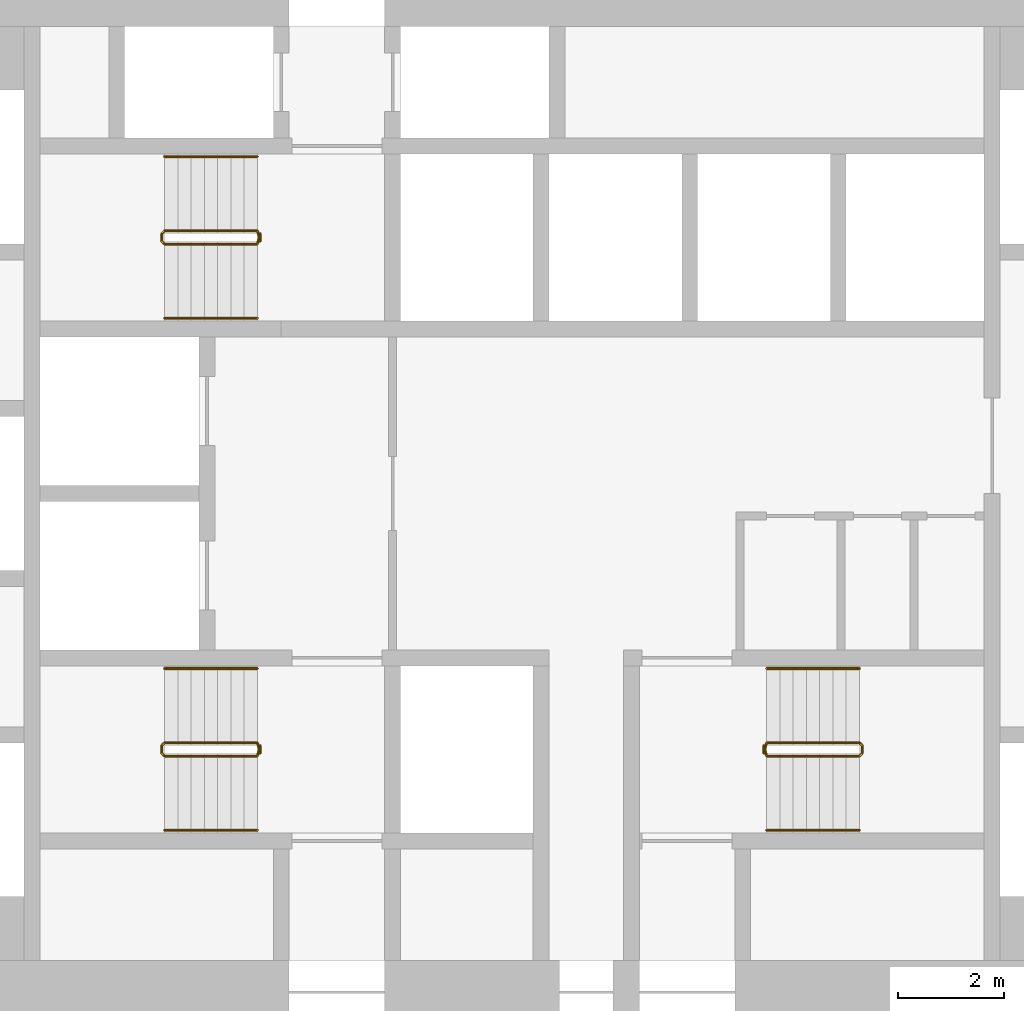
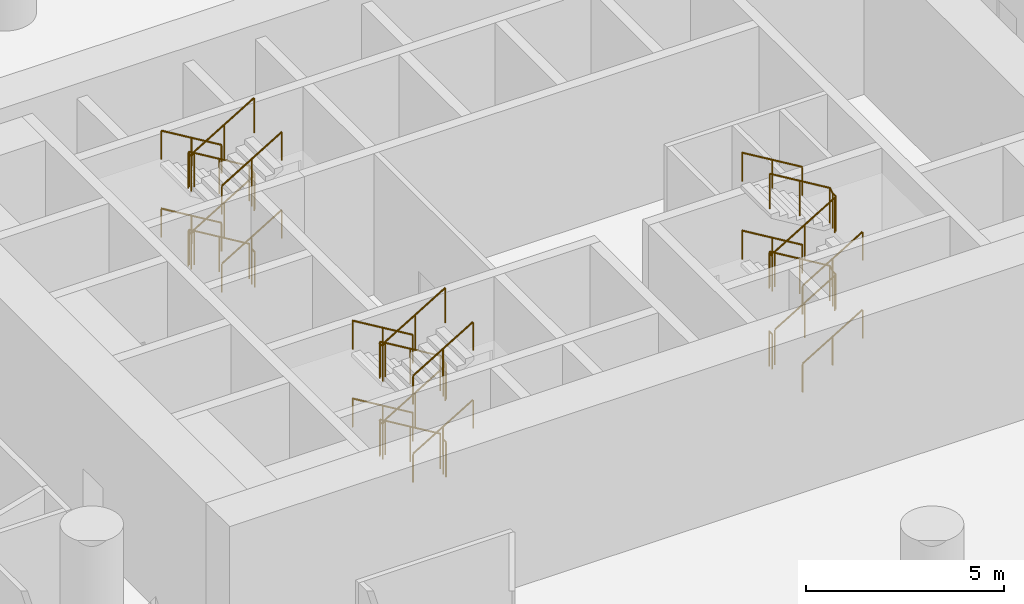
# One storey, part 11 of 11: 18 railings.
"""IFC4 building model written with IfcOpenShell, lengths in metres."""

from ifc_helpers import new_model, si_unit, direction, frame, origin, origin_2d, place, context, subcontext, project, spatial, circle, extrude, material, type_object, element, save


model = new_model("IFC4")

# Units and contexts
model_context = context("Model", 3, precision=1e-05, world=origin(), true_north=direction((0.0, 1.0)))
body_context = subcontext(model_context, "Body", "Model", "MODEL_VIEW")
ifc_project = project(units=[si_unit("LENGTHUNIT", "METRE"), si_unit("AREAUNIT", "SQUARE_METRE"), si_unit("VOLUMEUNIT", "CUBIC_METRE"), si_unit("PLANEANGLEUNIT", "RADIAN"), si_unit("MASSUNIT", "GRAM", prefix="KILO")], contexts=[model_context])

# Site, building, storey
site_placement = place(None, origin())
site = spatial("IfcSite", under=ifc_project, at=site_placement, CompositionType="ELEMENT")
building_placement = place(site_placement, origin())
building = spatial("IfcBuilding", under=site, at=building_placement, Name="Tracery Tower", CompositionType="ELEMENT")
storey_placement = place(building_placement, frame((0.0, 0.0, 23.39990234375)))
storey = spatial("IfcBuildingStorey", under=building, at=storey_placement, Name="L04", CompositionType="ELEMENT", Elevation=23.39990234375)

# Railings
ifc_material_1 = material(Name="Stainless steel and laminated glass", Category="steel")
railing_type_1 = type_object("IfcRailingType", Name="Stair guard 1100", PredefinedType="GUARDRAIL", material=ifc_material_1)
railing_1_placement = place(storey_placement, frame((-4.800048828125, -4.699951171875, 0.150146484375)))
element("IfcRailing", 1, at=railing_1_placement, inside=storey, type_object=railing_type_1, Name="L04 stair ST1 guard 1", PredefinedType="GUARDRAIL", context=body_context, shape_type="SweptSolid", body=[
    extrude(circle(Radius=0.02392578125, at=origin_2d()), frame((0.0, 0.0, 1.076171875), z_axis=(-0.857482370257, 0.0, 0.514513347444), x_axis=(0.0, -1.0, 0.0)), (0.0, 0.0, 1.0), 2.040771484375),
    extrude(circle(Radius=0.02392578125, at=origin_2d()), frame((-1.75, 0.0, 2.1259765625), z_axis=(-0.707106781187, -0.707106781187, 0.0), x_axis=(0.707106781187, -0.707106781187, 0.0)), (0.0, 0.0, 1.0), 0.07080078125),
    extrude(circle(Radius=0.02392578125, at=origin_2d()), frame((-1.800048828125, -0.050048828125, 2.1259765625), z_axis=(0.0, -1.0, 0.0), x_axis=(1.0, 0.0, 0.0)), (0.0, 0.0, 1.0), 0.14990234375),
    extrude(circle(Radius=0.02392578125, at=origin_2d()), frame((-1.800048828125, -0.199951171875, 2.1259765625), z_axis=(0.301912943143, -0.301912943143, 0.904266083366), x_axis=(0.707106781187, 0.707106781187, 0.0)), (0.0, 0.0, 1.0), 0.165771484375),
    extrude(circle(Radius=0.02392578125, at=origin_2d()), frame((-1.75, -0.25, 2.27587890625), z_axis=(0.857482370257, 0.0, 0.514513347444), x_axis=(0.0, 1.0, 0.0)), (0.0, 0.0, 1.0), 2.040771484375),
    extrude(circle(Radius=0.02392578125, at=origin_2d()), frame((0.0, -0.25, 3.326171875), z_axis=(0.242814311512, 0.970072785993, 0.0), x_axis=(-0.970072785993, 0.242814311512, 0.0)), (0.0, 0.0, 1.0), 0.2060546875),
    extrude(circle(Radius=0.02392578125, at=origin_2d()), frame((0.050048828125, -0.050048828125, 3.326171875), z_axis=(0.0, -1.0, 0.0), x_axis=(1.0, 0.0, 0.0)), (0.0, 0.0, 1.0), 0.14990234375),
    extrude(circle(Radius=0.02392578125, at=origin_2d()), frame((0.050048828125, -0.199951171875, 3.326171875), z_axis=(-0.196374026855, 0.784538185338, 0.588164158483), x_axis=(-0.970072785993, -0.242814311512, 0.0)), (0.0, 0.0, 1.0), 0.2548828125),
    extrude(circle(Radius=0.02392578125, at=origin_2d()), frame((0.0, 0.0, 3.47607421875), z_axis=(-0.857482370257, 0.0, 0.514513347444), x_axis=(0.0, -1.0, 0.0)), (0.0, 0.0, 1.0), 2.040771484375),
    extrude(circle(Radius=0.02392578125, at=origin_2d()), frame((-1.75, 0.0, 4.52587890625), z_axis=(-0.707106781187, -0.707106781187, 0.0), x_axis=(0.707106781187, -0.707106781187, 0.0)), (0.0, 0.0, 1.0), 0.07080078125),
    extrude(circle(Radius=0.02392578125, at=origin_2d()), frame((-1.800048828125, -0.050048828125, 4.52587890625), z_axis=(0.0, -1.0, 0.0), x_axis=(1.0, 0.0, 0.0)), (0.0, 0.0, 1.0), 0.14990234375),
    extrude(circle(Radius=0.02392578125, at=origin_2d()), frame((-1.800048828125, -0.199951171875, 4.52587890625), z_axis=(0.301912943143, -0.301912943143, 0.904266083366), x_axis=(0.707106781187, 0.707106781187, 0.0)), (0.0, 0.0, 1.0), 0.165771484375),
    extrude(circle(Radius=0.02392578125, at=origin_2d()), frame((-1.75, -0.25, 4.67578125), z_axis=(0.857482370257, 0.0, 0.514513347444), x_axis=(0.0, 1.0, 0.0)), (0.0, 0.0, 1.0), 2.040771484375),
    extrude(circle(Radius=0.02099609375, at=origin_2d()), origin(), (0.0, 0.0, 1.0), 1.052001953125),
    extrude(circle(Radius=0.02099609375, at=origin_2d()), frame((-0.875, 0.0, 0.52490234375)), (0.0, 0.0, 1.0), 1.052001953125),
    extrude(circle(Radius=0.02099609375, at=origin_2d()), frame((-1.75, 0.0, 1.050048828125)), (0.0, 0.0, 1.0), 1.052001953125),
    extrude(circle(Radius=0.02099609375, at=origin_2d()), frame((-1.800048828125, -0.050048828125, 1.050048828125)), (0.0, 0.0, 1.0), 1.052001953125),
    extrude(circle(Radius=0.02099609375, at=origin_2d()), frame((-1.800048828125, -0.199951171875, 1.050048828125)), (0.0, 0.0, 1.0), 1.052001953125),
    extrude(circle(Radius=0.02099609375, at=origin_2d()), frame((-1.75, -0.25, 1.199951171875)), (0.0, 0.0, 1.0), 1.052001953125),
    extrude(circle(Radius=0.02099609375, at=origin_2d()), frame((-0.875, -0.25, 1.72509765625)), (0.0, 0.0, 1.0), 1.052001953125),
    extrude(circle(Radius=0.02099609375, at=origin_2d()), frame((0.0, -0.25, 2.25)), (0.0, 0.0, 1.0), 1.052001953125),
    extrude(circle(Radius=0.02099609375, at=origin_2d()), frame((0.050048828125, -0.050048828125, 2.25)), (0.0, 0.0, 1.0), 1.052001953125),
    extrude(circle(Radius=0.02099609375, at=origin_2d()), frame((0.050048828125, -0.199951171875, 2.25)), (0.0, 0.0, 1.0), 1.052001953125),
    extrude(circle(Radius=0.02099609375, at=origin_2d()), frame((0.0, 0.0, 2.39990234375)), (0.0, 0.0, 1.0), 1.052001953125),
    extrude(circle(Radius=0.02099609375, at=origin_2d()), frame((-0.875, 0.0, 2.9248046875)), (0.0, 0.0, 1.0), 1.052001953125),
    extrude(circle(Radius=0.02099609375, at=origin_2d()), frame((-1.75, 0.0, 3.449951171875)), (0.0, 0.0, 1.0), 1.052001953125),
    extrude(circle(Radius=0.02099609375, at=origin_2d()), frame((-1.800048828125, -0.050048828125, 3.449951171875)), (0.0, 0.0, 1.0), 1.052001953125),
    extrude(circle(Radius=0.02099609375, at=origin_2d()), frame((-1.800048828125, -0.199951171875, 3.449951171875)), (0.0, 0.0, 1.0), 1.052001953125),
    extrude(circle(Radius=0.02099609375, at=origin_2d()), frame((-1.75, -0.25, 3.599853515625)), (0.0, 0.0, 1.0), 1.052001953125),
    extrude(circle(Radius=0.02099609375, at=origin_2d()), frame((-0.875, -0.25, 4.125)), (0.0, 0.0, 1.0), 1.052001953125),
    extrude(circle(Radius=0.02099609375, at=origin_2d()), frame((0.0, -0.25, 4.64990234375)), (0.0, 0.0, 1.0), 1.052001953125),
])
railing_2_placement = place(storey_placement, frame((-4.75, -4.75, 0.0)))
element("IfcRailing", 2, at=railing_2_placement, inside=storey, type_object=railing_type_1, Name="L04 stair ST1 guard 2", PredefinedType="GUARDRAIL", context=body_context, shape_type="SweptSolid", body=[
    extrude(circle(Radius=0.02392578125, at=origin_2d()), frame((0.0, 0.0, 1.076171875), z_axis=(0.0, -1.0, 0.0), x_axis=(1.0, 0.0, 0.0)), (0.0, 0.0, 1.0), 0.14990234375),
    extrude(circle(Radius=0.02099609375, at=origin_2d()), origin(), (0.0, 0.0, 1.0), 1.052001953125),
    extrude(circle(Radius=0.02099609375, at=origin_2d()), frame((0.0, -0.14990234375, 0.0)), (0.0, 0.0, 1.0), 1.052001953125),
])
railing_3_placement = place(storey_placement, frame((-4.800048828125, 4.949951171875, 0.150146484375)))
element("IfcRailing", 3, at=railing_3_placement, inside=storey, type_object=railing_type_1, Name="L04 stair ST3 guard 1", PredefinedType="GUARDRAIL", context=body_context, shape_type="SweptSolid", body=[
    extrude(circle(Radius=0.02392578125, at=origin_2d()), frame((0.0, 0.0, 1.076171875), z_axis=(-0.857482370257, 0.0, 0.514513347444), x_axis=(0.0, -1.0, 0.0)), (0.0, 0.0, 1.0), 2.040771484375),
    extrude(circle(Radius=0.02392578125, at=origin_2d()), frame((-1.75, 0.0, 2.1259765625), z_axis=(-0.707106781187, -0.707106781187, 0.0), x_axis=(0.707106781187, -0.707106781187, 0.0)), (0.0, 0.0, 1.0), 0.07080078125),
    extrude(circle(Radius=0.02392578125, at=origin_2d()), frame((-1.800048828125, -0.050048828125, 2.1259765625), z_axis=(0.0, -1.0, 0.0), x_axis=(1.0, 0.0, 0.0)), (0.0, 0.0, 1.0), 0.14990234375),
    extrude(circle(Radius=0.02392578125, at=origin_2d()), frame((-1.800048828125, -0.199951171875, 2.1259765625), z_axis=(0.301912943143, -0.301912943143, 0.904266083366), x_axis=(0.707106781187, 0.707106781187, 0.0)), (0.0, 0.0, 1.0), 0.165771484375),
    extrude(circle(Radius=0.02392578125, at=origin_2d()), frame((-1.75, -0.25, 2.27587890625), z_axis=(0.857482370257, 0.0, 0.514513347444), x_axis=(0.0, 1.0, 0.0)), (0.0, 0.0, 1.0), 2.040771484375),
    extrude(circle(Radius=0.02392578125, at=origin_2d()), frame((0.0, -0.25, 3.326171875), z_axis=(0.242814311512, 0.970072785993, 0.0), x_axis=(-0.970072785993, 0.242814311512, 0.0)), (0.0, 0.0, 1.0), 0.2060546875),
    extrude(circle(Radius=0.02392578125, at=origin_2d()), frame((0.050048828125, -0.050048828125, 3.326171875), z_axis=(0.0, -1.0, 0.0), x_axis=(1.0, 0.0, 0.0)), (0.0, 0.0, 1.0), 0.14990234375),
    extrude(circle(Radius=0.02392578125, at=origin_2d()), frame((0.050048828125, -0.199951171875, 3.326171875), z_axis=(-0.196374026855, 0.784538185338, 0.588164158483), x_axis=(-0.970072785993, -0.242814311512, 0.0)), (0.0, 0.0, 1.0), 0.2548828125),
    extrude(circle(Radius=0.02392578125, at=origin_2d()), frame((0.0, 0.0, 3.47607421875), z_axis=(-0.857482370257, 0.0, 0.514513347444), x_axis=(0.0, -1.0, 0.0)), (0.0, 0.0, 1.0), 2.040771484375),
    extrude(circle(Radius=0.02392578125, at=origin_2d()), frame((-1.75, 0.0, 4.52587890625), z_axis=(-0.707106781187, -0.707106781187, 0.0), x_axis=(0.707106781187, -0.707106781187, 0.0)), (0.0, 0.0, 1.0), 0.07080078125),
    extrude(circle(Radius=0.02392578125, at=origin_2d()), frame((-1.800048828125, -0.050048828125, 4.52587890625), z_axis=(0.0, -1.0, 0.0), x_axis=(1.0, 0.0, 0.0)), (0.0, 0.0, 1.0), 0.14990234375),
    extrude(circle(Radius=0.02392578125, at=origin_2d()), frame((-1.800048828125, -0.199951171875, 4.52587890625), z_axis=(0.301912943143, -0.301912943143, 0.904266083366), x_axis=(0.707106781187, 0.707106781187, 0.0)), (0.0, 0.0, 1.0), 0.165771484375),
    extrude(circle(Radius=0.02392578125, at=origin_2d()), frame((-1.75, -0.25, 4.67578125), z_axis=(0.857482370257, 0.0, 0.514513347444), x_axis=(0.0, 1.0, 0.0)), (0.0, 0.0, 1.0), 2.040771484375),
    extrude(circle(Radius=0.02099609375, at=origin_2d()), origin(), (0.0, 0.0, 1.0), 1.052001953125),
    extrude(circle(Radius=0.02099609375, at=origin_2d()), frame((-0.875, 0.0, 0.52490234375)), (0.0, 0.0, 1.0), 1.052001953125),
    extrude(circle(Radius=0.02099609375, at=origin_2d()), frame((-1.75, 0.0, 1.050048828125)), (0.0, 0.0, 1.0), 1.052001953125),
    extrude(circle(Radius=0.02099609375, at=origin_2d()), frame((-1.800048828125, -0.050048828125, 1.050048828125)), (0.0, 0.0, 1.0), 1.052001953125),
    extrude(circle(Radius=0.02099609375, at=origin_2d()), frame((-1.800048828125, -0.199951171875, 1.050048828125)), (0.0, 0.0, 1.0), 1.052001953125),
    extrude(circle(Radius=0.02099609375, at=origin_2d()), frame((-1.75, -0.25, 1.199951171875)), (0.0, 0.0, 1.0), 1.052001953125),
    extrude(circle(Radius=0.02099609375, at=origin_2d()), frame((-0.875, -0.25, 1.72509765625)), (0.0, 0.0, 1.0), 1.052001953125),
    extrude(circle(Radius=0.02099609375, at=origin_2d()), frame((0.0, -0.25, 2.25)), (0.0, 0.0, 1.0), 1.052001953125),
    extrude(circle(Radius=0.02099609375, at=origin_2d()), frame((0.050048828125, -0.050048828125, 2.25)), (0.0, 0.0, 1.0), 1.052001953125),
    extrude(circle(Radius=0.02099609375, at=origin_2d()), frame((0.050048828125, -0.199951171875, 2.25)), (0.0, 0.0, 1.0), 1.052001953125),
    extrude(circle(Radius=0.02099609375, at=origin_2d()), frame((0.0, 0.0, 2.39990234375)), (0.0, 0.0, 1.0), 1.052001953125),
    extrude(circle(Radius=0.02099609375, at=origin_2d()), frame((-0.875, 0.0, 2.9248046875)), (0.0, 0.0, 1.0), 1.052001953125),
    extrude(circle(Radius=0.02099609375, at=origin_2d()), frame((-1.75, 0.0, 3.449951171875)), (0.0, 0.0, 1.0), 1.052001953125),
    extrude(circle(Radius=0.02099609375, at=origin_2d()), frame((-1.800048828125, -0.050048828125, 3.449951171875)), (0.0, 0.0, 1.0), 1.052001953125),
    extrude(circle(Radius=0.02099609375, at=origin_2d()), frame((-1.800048828125, -0.199951171875, 3.449951171875)), (0.0, 0.0, 1.0), 1.052001953125),
    extrude(circle(Radius=0.02099609375, at=origin_2d()), frame((-1.75, -0.25, 3.599853515625)), (0.0, 0.0, 1.0), 1.052001953125),
    extrude(circle(Radius=0.02099609375, at=origin_2d()), frame((-0.875, -0.25, 4.125)), (0.0, 0.0, 1.0), 1.052001953125),
    extrude(circle(Radius=0.02099609375, at=origin_2d()), frame((0.0, -0.25, 4.64990234375)), (0.0, 0.0, 1.0), 1.052001953125),
])
railing_4_placement = place(storey_placement, frame((-4.75, 4.89990234375, 0.0)))
element("IfcRailing", 4, at=railing_4_placement, inside=storey, type_object=railing_type_1, Name="L04 stair ST3 guard 2", PredefinedType="GUARDRAIL", context=body_context, shape_type="SweptSolid", body=[
    extrude(circle(Radius=0.02392578125, at=origin_2d()), frame((0.0, 0.0, 1.076171875), z_axis=(0.0, -1.0, 0.0), x_axis=(1.0, 0.0, 0.0)), (0.0, 0.0, 1.0), 0.14990234375),
    extrude(circle(Radius=0.02099609375, at=origin_2d()), origin(), (0.0, 0.0, 1.0), 1.052001953125),
    extrude(circle(Radius=0.02099609375, at=origin_2d()), frame((0.0, -0.14990234375, 0.0)), (0.0, 0.0, 1.0), 1.052001953125),
])
railing_5_placement = place(storey_placement, frame((4.800048828125, -4.949951171875, 0.150146484375)))
element("IfcRailing", 5, at=railing_5_placement, inside=storey, type_object=railing_type_1, Name="L04 stair ST2 guard 1", PredefinedType="GUARDRAIL", context=body_context, shape_type="SweptSolid", body=[
    extrude(circle(Radius=0.02392578125, at=origin_2d()), frame((0.0, 0.0, 1.076171875), z_axis=(0.857482370257, 0.0, 0.514513347444), x_axis=(0.0, 1.0, 0.0)), (0.0, 0.0, 1.0), 2.040771484375),
    extrude(circle(Radius=0.02392578125, at=origin_2d()), frame((1.75, 0.0, 2.1259765625), z_axis=(0.707106781187, 0.707106781187, 0.0), x_axis=(-0.707106781187, 0.707106781187, 0.0)), (0.0, 0.0, 1.0), 0.07080078125),
    extrude(circle(Radius=0.02392578125, at=origin_2d()), frame((1.800048828125, 0.050048828125, 2.1259765625), z_axis=(0.0, 1.0, 0.0), x_axis=(-1.0, 0.0, 0.0)), (0.0, 0.0, 1.0), 0.14990234375),
    extrude(circle(Radius=0.02392578125, at=origin_2d()), frame((1.800048828125, 0.199951171875, 2.1259765625), z_axis=(-0.301912943143, 0.301912943143, 0.904266083366), x_axis=(-0.707106781187, -0.707106781187, 0.0)), (0.0, 0.0, 1.0), 0.165771484375),
    extrude(circle(Radius=0.02392578125, at=origin_2d()), frame((1.75, 0.25, 2.27587890625), z_axis=(-0.857482370257, 0.0, 0.514513347444), x_axis=(0.0, -1.0, 0.0)), (0.0, 0.0, 1.0), 2.040771484375),
    extrude(circle(Radius=0.02392578125, at=origin_2d()), frame((0.0, 0.25, 3.326171875), z_axis=(-0.242814311512, -0.970072785993, 0.0), x_axis=(0.970072785993, -0.242814311512, 0.0)), (0.0, 0.0, 1.0), 0.2060546875),
    extrude(circle(Radius=0.02392578125, at=origin_2d()), frame((-0.050048828125, 0.050048828125, 3.326171875), z_axis=(0.0, 1.0, 0.0), x_axis=(-1.0, 0.0, 0.0)), (0.0, 0.0, 1.0), 0.14990234375),
    extrude(circle(Radius=0.02392578125, at=origin_2d()), frame((-0.050048828125, 0.199951171875, 3.326171875), z_axis=(0.196374026855, -0.784538185338, 0.588164158483), x_axis=(0.970072785993, 0.242814311512, 0.0)), (0.0, 0.0, 1.0), 0.2548828125),
    extrude(circle(Radius=0.02392578125, at=origin_2d()), frame((0.0, 0.0, 3.47607421875), z_axis=(0.857482370257, 0.0, 0.514513347444), x_axis=(0.0, 1.0, 0.0)), (0.0, 0.0, 1.0), 2.040771484375),
    extrude(circle(Radius=0.02392578125, at=origin_2d()), frame((1.75, 0.0, 4.52587890625), z_axis=(0.707106781187, 0.707106781187, 0.0), x_axis=(-0.707106781187, 0.707106781187, 0.0)), (0.0, 0.0, 1.0), 0.07080078125),
    extrude(circle(Radius=0.02392578125, at=origin_2d()), frame((1.800048828125, 0.050048828125, 4.52587890625), z_axis=(0.0, 1.0, 0.0), x_axis=(-1.0, 0.0, 0.0)), (0.0, 0.0, 1.0), 0.14990234375),
    extrude(circle(Radius=0.02392578125, at=origin_2d()), frame((1.800048828125, 0.199951171875, 4.52587890625), z_axis=(-0.301912943143, 0.301912943143, 0.904266083366), x_axis=(-0.707106781187, -0.707106781187, 0.0)), (0.0, 0.0, 1.0), 0.165771484375),
    extrude(circle(Radius=0.02392578125, at=origin_2d()), frame((1.75, 0.25, 4.67578125), z_axis=(-0.857482370257, 0.0, 0.514513347444), x_axis=(0.0, -1.0, 0.0)), (0.0, 0.0, 1.0), 2.040771484375),
    extrude(circle(Radius=0.02099609375, at=origin_2d()), origin(), (0.0, 0.0, 1.0), 1.052001953125),
    extrude(circle(Radius=0.02099609375, at=origin_2d()), frame((0.875, 0.0, 0.52490234375)), (0.0, 0.0, 1.0), 1.052001953125),
    extrude(circle(Radius=0.02099609375, at=origin_2d()), frame((1.75, 0.0, 1.050048828125)), (0.0, 0.0, 1.0), 1.052001953125),
    extrude(circle(Radius=0.02099609375, at=origin_2d()), frame((1.800048828125, 0.050048828125, 1.050048828125)), (0.0, 0.0, 1.0), 1.052001953125),
    extrude(circle(Radius=0.02099609375, at=origin_2d()), frame((1.800048828125, 0.199951171875, 1.050048828125)), (0.0, 0.0, 1.0), 1.052001953125),
    extrude(circle(Radius=0.02099609375, at=origin_2d()), frame((1.75, 0.25, 1.199951171875)), (0.0, 0.0, 1.0), 1.052001953125),
    extrude(circle(Radius=0.02099609375, at=origin_2d()), frame((0.875, 0.25, 1.72509765625)), (0.0, 0.0, 1.0), 1.052001953125),
    extrude(circle(Radius=0.02099609375, at=origin_2d()), frame((0.0, 0.25, 2.25)), (0.0, 0.0, 1.0), 1.052001953125),
    extrude(circle(Radius=0.02099609375, at=origin_2d()), frame((-0.050048828125, 0.050048828125, 2.25)), (0.0, 0.0, 1.0), 1.052001953125),
    extrude(circle(Radius=0.02099609375, at=origin_2d()), frame((-0.050048828125, 0.199951171875, 2.25)), (0.0, 0.0, 1.0), 1.052001953125),
    extrude(circle(Radius=0.02099609375, at=origin_2d()), frame((0.0, 0.0, 2.39990234375)), (0.0, 0.0, 1.0), 1.052001953125),
    extrude(circle(Radius=0.02099609375, at=origin_2d()), frame((0.875, 0.0, 2.9248046875)), (0.0, 0.0, 1.0), 1.052001953125),
    extrude(circle(Radius=0.02099609375, at=origin_2d()), frame((1.75, 0.0, 3.449951171875)), (0.0, 0.0, 1.0), 1.052001953125),
    extrude(circle(Radius=0.02099609375, at=origin_2d()), frame((1.800048828125, 0.050048828125, 3.449951171875)), (0.0, 0.0, 1.0), 1.052001953125),
    extrude(circle(Radius=0.02099609375, at=origin_2d()), frame((1.800048828125, 0.199951171875, 3.449951171875)), (0.0, 0.0, 1.0), 1.052001953125),
    extrude(circle(Radius=0.02099609375, at=origin_2d()), frame((1.75, 0.25, 3.599853515625)), (0.0, 0.0, 1.0), 1.052001953125),
    extrude(circle(Radius=0.02099609375, at=origin_2d()), frame((0.875, 0.25, 4.125)), (0.0, 0.0, 1.0), 1.052001953125),
    extrude(circle(Radius=0.02099609375, at=origin_2d()), frame((0.0, 0.25, 4.64990234375)), (0.0, 0.0, 1.0), 1.052001953125),
])
railing_6_placement = place(storey_placement, frame((4.75, -4.89990234375, 0.0)))
element("IfcRailing", 6, at=railing_6_placement, inside=storey, type_object=railing_type_1, Name="L04 stair ST2 guard 2", PredefinedType="GUARDRAIL", context=body_context, shape_type="SweptSolid", body=[
    extrude(circle(Radius=0.02392578125, at=origin_2d()), frame((0.0, 0.0, 1.076171875), z_axis=(0.0, 1.0, 0.0), x_axis=(-1.0, 0.0, 0.0)), (0.0, 0.0, 1.0), 0.14990234375),
    extrude(circle(Radius=0.02099609375, at=origin_2d()), origin(), (0.0, 0.0, 1.0), 1.052001953125),
    extrude(circle(Radius=0.02099609375, at=origin_2d()), frame((0.0, 0.14990234375, 0.0)), (0.0, 0.0, 1.0), 1.052001953125),
])
ifc_material_2 = material(Name="Stainless steel and laminated glass", Category="steel")
railing_type_2 = type_object("IfcRailingType", Name="Stair handrail 900", PredefinedType="HANDRAIL", material=ifc_material_2)
railing_7_placement = place(storey_placement, frame((-4.800048828125, -3.300048828125, 0.150146484375)))
element("IfcRailing", 7, at=railing_7_placement, inside=storey, type_object=railing_type_2, Name="L04 stair ST1 handrail 1", PredefinedType="HANDRAIL", context=body_context, shape_type="SweptSolid", body=[
    extrude(circle(Radius=0.02392578125, at=origin_2d()), frame((0.0, 0.0, 0.8759765625), z_axis=(-0.857482370257, 0.0, 0.514513347444), x_axis=(0.0, -1.0, 0.0)), (0.0, 0.0, 1.0), 2.040771484375),
    extrude(circle(Radius=0.02099609375, at=origin_2d()), origin(), (0.0, 0.0, 1.0), 0.851806640625),
    extrude(circle(Radius=0.02099609375, at=origin_2d()), frame((-0.875, 0.0, 0.52490234375)), (0.0, 0.0, 1.0), 0.851806640625),
    extrude(circle(Radius=0.02099609375, at=origin_2d()), frame((-1.75, 0.0, 1.050048828125)), (0.0, 0.0, 1.0), 0.851806640625),
])
railing_8_placement = place(storey_placement, frame((-6.550048828125, -6.35009765625, 1.35009765625)))
element("IfcRailing", 8, at=railing_8_placement, inside=storey, type_object=railing_type_2, Name="L04 stair ST1 handrail 2", PredefinedType="HANDRAIL", context=body_context, shape_type="SweptSolid", body=[
    extrude(circle(Radius=0.02392578125, at=origin_2d()), frame((0.0, 0.0, 0.8759765625), z_axis=(0.857482370257, 0.0, 0.514513347444), x_axis=(0.0, 1.0, 0.0)), (0.0, 0.0, 1.0), 2.040771484375),
    extrude(circle(Radius=0.02099609375, at=origin_2d()), origin(), (0.0, 0.0, 1.0), 0.851806640625),
    extrude(circle(Radius=0.02099609375, at=origin_2d()), frame((0.875, 0.0, 0.52490234375)), (0.0, 0.0, 1.0), 0.851806640625),
    extrude(circle(Radius=0.02099609375, at=origin_2d()), frame((1.75, 0.0, 1.050048828125)), (0.0, 0.0, 1.0), 0.851806640625),
])
railing_9_placement = place(storey_placement, frame((-4.800048828125, -3.300048828125, 2.550048828125)))
element("IfcRailing", 9, at=railing_9_placement, inside=storey, type_object=railing_type_2, Name="L04 stair ST1 handrail 3", PredefinedType="HANDRAIL", context=body_context, shape_type="SweptSolid", body=[
    extrude(circle(Radius=0.02392578125, at=origin_2d()), frame((0.0, 0.0, 0.8759765625), z_axis=(-0.857482370257, 0.0, 0.514513347444), x_axis=(0.0, -1.0, 0.0)), (0.0, 0.0, 1.0), 2.040771484375),
    extrude(circle(Radius=0.02099609375, at=origin_2d()), origin(), (0.0, 0.0, 1.0), 0.851806640625),
    extrude(circle(Radius=0.02099609375, at=origin_2d()), frame((-0.875, 0.0, 0.52490234375)), (0.0, 0.0, 1.0), 0.851806640625),
    extrude(circle(Radius=0.02099609375, at=origin_2d()), frame((-1.75, 0.0, 1.050048828125)), (0.0, 0.0, 1.0), 0.851806640625),
])
railing_10_placement = place(storey_placement, frame((-6.550048828125, -6.35009765625, 3.75)))
element("IfcRailing", 10, at=railing_10_placement, inside=storey, type_object=railing_type_2, Name="L04 stair ST1 handrail 4", PredefinedType="HANDRAIL", context=body_context, shape_type="SweptSolid", body=[
    extrude(circle(Radius=0.02392578125, at=origin_2d()), frame((0.0, 0.0, 0.8759765625), z_axis=(0.857482370257, 0.0, 0.514513347444), x_axis=(0.0, 1.0, 0.0)), (0.0, 0.0, 1.0), 2.040771484375),
    extrude(circle(Radius=0.02099609375, at=origin_2d()), origin(), (0.0, 0.0, 1.0), 0.851806640625),
    extrude(circle(Radius=0.02099609375, at=origin_2d()), frame((0.875, 0.0, 0.52490234375)), (0.0, 0.0, 1.0), 0.851806640625),
    extrude(circle(Radius=0.02099609375, at=origin_2d()), frame((1.75, 0.0, 1.050048828125)), (0.0, 0.0, 1.0), 0.851806640625),
])
railing_11_placement = place(storey_placement, frame((-4.800048828125, 6.35009765625, 0.150146484375)))
element("IfcRailing", 11, at=railing_11_placement, inside=storey, type_object=railing_type_2, Name="L04 stair ST3 handrail 1", PredefinedType="HANDRAIL", context=body_context, shape_type="SweptSolid", body=[
    extrude(circle(Radius=0.02392578125, at=origin_2d()), frame((0.0, 0.0, 0.8759765625), z_axis=(-0.857482370257, 0.0, 0.514513347444), x_axis=(0.0, -1.0, 0.0)), (0.0, 0.0, 1.0), 2.040771484375),
    extrude(circle(Radius=0.02099609375, at=origin_2d()), origin(), (0.0, 0.0, 1.0), 0.851806640625),
    extrude(circle(Radius=0.02099609375, at=origin_2d()), frame((-0.875, 0.0, 0.52490234375)), (0.0, 0.0, 1.0), 0.851806640625),
    extrude(circle(Radius=0.02099609375, at=origin_2d()), frame((-1.75, 0.0, 1.050048828125)), (0.0, 0.0, 1.0), 0.851806640625),
])
railing_12_placement = place(storey_placement, frame((-6.550048828125, 3.300048828125, 1.35009765625)))
element("IfcRailing", 12, at=railing_12_placement, inside=storey, type_object=railing_type_2, Name="L04 stair ST3 handrail 2", PredefinedType="HANDRAIL", context=body_context, shape_type="SweptSolid", body=[
    extrude(circle(Radius=0.02392578125, at=origin_2d()), frame((0.0, 0.0, 0.8759765625), z_axis=(0.857482370257, 0.0, 0.514513347444), x_axis=(0.0, 1.0, 0.0)), (0.0, 0.0, 1.0), 2.040771484375),
    extrude(circle(Radius=0.02099609375, at=origin_2d()), origin(), (0.0, 0.0, 1.0), 0.851806640625),
    extrude(circle(Radius=0.02099609375, at=origin_2d()), frame((0.875, 0.0, 0.52490234375)), (0.0, 0.0, 1.0), 0.851806640625),
    extrude(circle(Radius=0.02099609375, at=origin_2d()), frame((1.75, 0.0, 1.050048828125)), (0.0, 0.0, 1.0), 0.851806640625),
])
railing_13_placement = place(storey_placement, frame((-4.800048828125, 6.35009765625, 2.550048828125)))
element("IfcRailing", 13, at=railing_13_placement, inside=storey, type_object=railing_type_2, Name="L04 stair ST3 handrail 3", PredefinedType="HANDRAIL", context=body_context, shape_type="SweptSolid", body=[
    extrude(circle(Radius=0.02392578125, at=origin_2d()), frame((0.0, 0.0, 0.8759765625), z_axis=(-0.857482370257, 0.0, 0.514513347444), x_axis=(0.0, -1.0, 0.0)), (0.0, 0.0, 1.0), 2.040771484375),
    extrude(circle(Radius=0.02099609375, at=origin_2d()), origin(), (0.0, 0.0, 1.0), 0.851806640625),
    extrude(circle(Radius=0.02099609375, at=origin_2d()), frame((-0.875, 0.0, 0.52490234375)), (0.0, 0.0, 1.0), 0.851806640625),
    extrude(circle(Radius=0.02099609375, at=origin_2d()), frame((-1.75, 0.0, 1.050048828125)), (0.0, 0.0, 1.0), 0.851806640625),
])
for number, where, name in (
    (14, (-6.550048828125, 3.300048828125, 3.75), "L04 stair ST3 handrail 4"),
    (15, (4.800048828125, -6.35009765625, 0.150146484375), "L04 stair ST2 handrail 1"),
):
    element("IfcRailing", number, at=place(storey_placement, frame(where)), inside=storey, type_object=railing_type_2, Name=name, PredefinedType="HANDRAIL", context=body_context, shape_type="SweptSolid", body=[
        extrude(circle(Radius=0.02392578125, at=origin_2d()), frame((0.0, 0.0, 0.8759765625), z_axis=(0.857482370257, 0.0, 0.514513347444), x_axis=(0.0, 1.0, 0.0)), (0.0, 0.0, 1.0), 2.040771484375),
        extrude(circle(Radius=0.02099609375, at=origin_2d()), origin(), (0.0, 0.0, 1.0), 0.851806640625),
        extrude(circle(Radius=0.02099609375, at=origin_2d()), frame((0.875, 0.0, 0.52490234375)), (0.0, 0.0, 1.0), 0.851806640625),
        extrude(circle(Radius=0.02099609375, at=origin_2d()), frame((1.75, 0.0, 1.050048828125)), (0.0, 0.0, 1.0), 0.851806640625),
    ])
railing_14_placement = place(storey_placement, frame((6.550048828125, -3.300048828125, 1.35009765625)))
element("IfcRailing", 16, at=railing_14_placement, inside=storey, type_object=railing_type_2, Name="L04 stair ST2 handrail 2", PredefinedType="HANDRAIL", context=body_context, shape_type="SweptSolid", body=[
    extrude(circle(Radius=0.02392578125, at=origin_2d()), frame((0.0, 0.0, 0.8759765625), z_axis=(-0.857482370257, 0.0, 0.514513347444), x_axis=(0.0, -1.0, 0.0)), (0.0, 0.0, 1.0), 2.040771484375),
    extrude(circle(Radius=0.02099609375, at=origin_2d()), origin(), (0.0, 0.0, 1.0), 0.851806640625),
    extrude(circle(Radius=0.02099609375, at=origin_2d()), frame((-0.875, 0.0, 0.52490234375)), (0.0, 0.0, 1.0), 0.851806640625),
    extrude(circle(Radius=0.02099609375, at=origin_2d()), frame((-1.75, 0.0, 1.050048828125)), (0.0, 0.0, 1.0), 0.851806640625),
])
railing_15_placement = place(storey_placement, frame((4.800048828125, -6.35009765625, 2.550048828125)))
element("IfcRailing", 17, at=railing_15_placement, inside=storey, type_object=railing_type_2, Name="L04 stair ST2 handrail 3", PredefinedType="HANDRAIL", context=body_context, shape_type="SweptSolid", body=[
    extrude(circle(Radius=0.02392578125, at=origin_2d()), frame((0.0, 0.0, 0.8759765625), z_axis=(0.857482370257, 0.0, 0.514513347444), x_axis=(0.0, 1.0, 0.0)), (0.0, 0.0, 1.0), 2.040771484375),
    extrude(circle(Radius=0.02099609375, at=origin_2d()), origin(), (0.0, 0.0, 1.0), 0.851806640625),
    extrude(circle(Radius=0.02099609375, at=origin_2d()), frame((0.875, 0.0, 0.52490234375)), (0.0, 0.0, 1.0), 0.851806640625),
    extrude(circle(Radius=0.02099609375, at=origin_2d()), frame((1.75, 0.0, 1.050048828125)), (0.0, 0.0, 1.0), 0.851806640625),
])
railing_16_placement = place(storey_placement, frame((6.550048828125, -3.300048828125, 3.75)))
element("IfcRailing", 18, at=railing_16_placement, inside=storey, type_object=railing_type_2, Name="L04 stair ST2 handrail 4", PredefinedType="HANDRAIL", context=body_context, shape_type="SweptSolid", body=[
    extrude(circle(Radius=0.02392578125, at=origin_2d()), frame((0.0, 0.0, 0.8759765625), z_axis=(-0.857482370257, 0.0, 0.514513347444), x_axis=(0.0, -1.0, 0.0)), (0.0, 0.0, 1.0), 2.040771484375),
    extrude(circle(Radius=0.02099609375, at=origin_2d()), origin(), (0.0, 0.0, 1.0), 0.851806640625),
    extrude(circle(Radius=0.02099609375, at=origin_2d()), frame((-0.875, 0.0, 0.52490234375)), (0.0, 0.0, 1.0), 0.851806640625),
    extrude(circle(Radius=0.02099609375, at=origin_2d()), frame((-1.75, 0.0, 1.050048828125)), (0.0, 0.0, 1.0), 0.851806640625),
])

save(model, "model.ifc")
